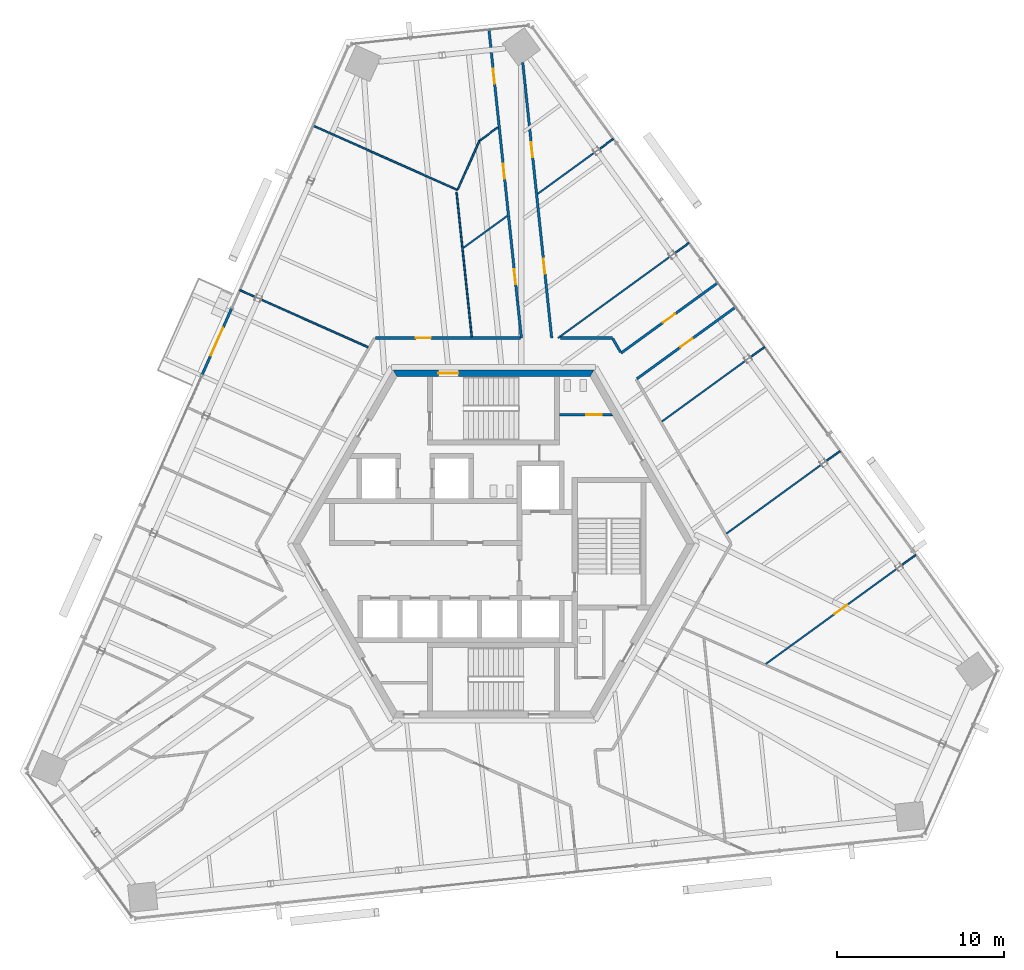
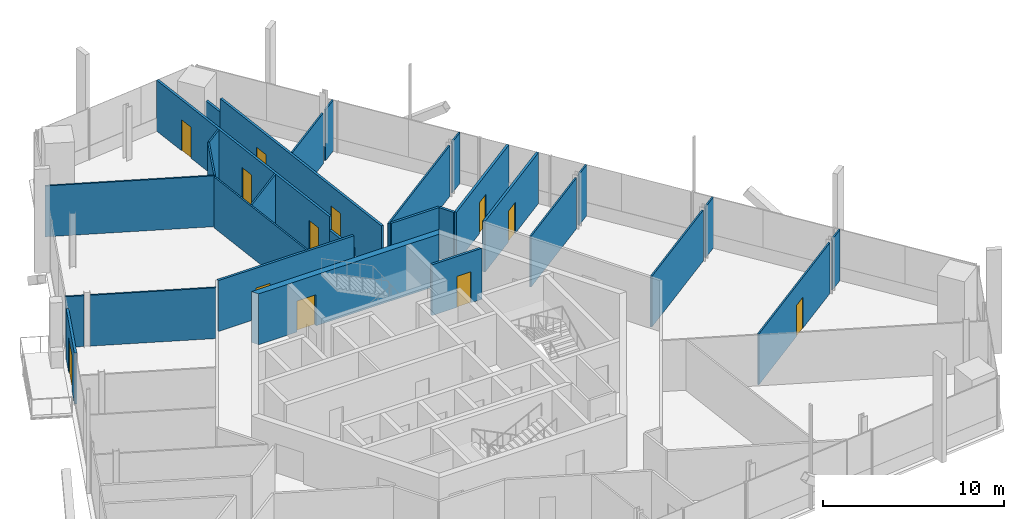
# One storey, part 13 of 20: 29 walls, 12 doors, 12 openings.
"""IFC4 building model written with IfcOpenShell, lengths in metres."""

from ifc_helpers import new_model, si_unit, direction, frame, frame_2d, origin, place, context, subcontext, project, spatial, polyline, rectangle, outline, extrude, source, transform, mapped, material, layer, layer_set, type_object, element, fill, save


model = new_model("IFC4")

# Units and contexts
model_context = context("Model", 3, precision=1e-05, world=origin(), true_north=direction((0.0, 1.0)))
body_context = subcontext(model_context, "Body", "Model", "MODEL_VIEW")
ifc_project = project(units=[si_unit("LENGTHUNIT", "METRE"), si_unit("AREAUNIT", "SQUARE_METRE"), si_unit("VOLUMEUNIT", "CUBIC_METRE"), si_unit("PLANEANGLEUNIT", "RADIAN"), si_unit("MASSUNIT", "GRAM", prefix="KILO")], contexts=[model_context])

# Site, building, storey
site_placement = place(None, origin())
site = spatial("IfcSite", under=ifc_project, at=site_placement, CompositionType="ELEMENT")
building_placement = place(site_placement, origin())
building = spatial("IfcBuilding", under=site, at=building_placement, Name="Triune Harvest Tower", CompositionType="ELEMENT")
storey_placement = place(building_placement, frame((0.0, 0.0, 226.89990234375)))
storey = spatial("IfcBuildingStorey", under=building, at=storey_placement, Name="L59", CompositionType="ELEMENT", Elevation=226.89990234375)

# Wall, openings, doors
ifc_material_1 = material(Name="Gypsum board on steel studs", Category="steel")
ifc_layer_1 = layer(ifc_material_1, 0.14990234375)
ifc_layer_set_1 = layer_set([ifc_layer_1], Name="Gypsum board on steel studs")
wall_type_1 = type_object("IfcWallType", Name="Fire Partition 150 mm", PredefinedType="PARTITIONING", material=ifc_layer_set_1)
wall_1_placement = place(storey_placement, frame((-0.270751953125, 30.701171875, 0.0), z_axis=(0.0, 0.0, 1.0), x_axis=(0.104513866593, -0.994523429432, 0.0)))
wall_1 = element("IfcWall", 1, at=wall_1_placement, inside=storey, type_object=wall_type_1, Name="Partition L59 004", PredefinedType="PARTITIONING", context=body_context, shape_type="SweptSolid", body=[
    extrude(rectangle(XDim=16.283935546875, YDim=0.14990234375, at=frame_2d((8.14208984375, 0.0))), origin(), (0.0, 0.0, 1.0), 3.440185546875),
])
opening_1_placement = place(wall_1_placement, frame((14.379150390625, 0.0, 0.0)))
opening_1 = element("IfcOpeningElement", 2, at=opening_1_placement, cuts=wall_1, Name="Opening L59-006", PredefinedType="OPENING", context=body_context, shape_type="SweptSolid", body=[
    extrude(rectangle(XDim=0.89990234375, YDim=2.10009765625, at=frame_2d((0.449951171875, 1.050048828125))), frame((0.0, 0.0849609375, 0.0), z_axis=(0.0, -1.0, 0.0), x_axis=(1.0, 0.0, 0.0)), (0.0, 0.0, 1.0), 0.169921875),
])
opening_2_placement = place(wall_1_placement, frame((8.05859375, 0.0, 0.0)))
opening_2 = element("IfcOpeningElement", 3, at=opening_2_placement, cuts=wall_1, Name="Opening L59-008", PredefinedType="OPENING", context=body_context, shape_type="SweptSolid", body=[
    extrude(rectangle(XDim=0.89990234375, YDim=2.10009765625, at=frame_2d((0.449951171875, 1.050048828125))), frame((0.0, 0.0849609375, 0.0), z_axis=(0.0, -1.0, 0.0), x_axis=(1.0, 0.0, 0.0)), (0.0, 0.0, 1.0), 0.169921875),
])
opening_3_placement = place(wall_1_placement, frame((2.35009765625, 0.0, 0.0)))
opening_3 = element("IfcOpeningElement", 4, at=opening_3_placement, cuts=wall_1, Name="Opening L59-010", PredefinedType="OPENING", context=body_context, shape_type="SweptSolid", body=[
    extrude(rectangle(XDim=0.89990234375, YDim=2.10009765625, at=frame_2d((0.449951171875, 1.050048828125))), frame((0.0, 0.0849609375, 0.0), z_axis=(0.0, -1.0, 0.0), x_axis=(1.0, 0.0, 0.0)), (0.0, 0.0, 1.0), 0.169921875),
])
ifc_material_2 = material(Name="Timber and steel door set", Category="steel")
door_type_1 = type_object("IfcDoorType", Name="Single leaf door FD30 left hand 900 x 2100", OperationType="SINGLE_SWING_LEFT", PredefinedType="DOOR", material=ifc_material_2)
door_1_placement = place(opening_1_placement, origin())
door_1 = element("IfcDoor", 5, at=door_1_placement, inside=storey, type_object=door_type_1, Name="Door L59-006 Open Office 59.06", OperationType="SINGLE_SWING_LEFT", OverallHeight=2.10009765625, OverallWidth=0.89990234375, PredefinedType="DOOR", context=body_context, shape_type="SweptSolid", body=[
    extrude(rectangle(XDim=0.89990234375, YDim=2.10009765625, at=frame_2d((0.449951171875, 1.050048828125))), frame((0.0, 0.02490234375, 0.0), z_axis=(0.0, -1.0, 0.0), x_axis=(1.0, 0.0, 0.0)), (0.0, 0.0, 1.0), 0.050048828125),
])
fill(opening_1, door_1)
ifc_material_3 = material(Name="Timber and steel door set", Category="steel")
door_type_2 = type_object("IfcDoorType", Name="Single leaf door FD30 right hand 900 x 2100", OperationType="SINGLE_SWING_RIGHT", PredefinedType="DOOR", material=ifc_material_3)
door_2_placement = place(opening_2_placement, origin())
door_2 = element("IfcDoor", 6, at=door_2_placement, inside=storey, type_object=door_type_2, Name="Door L59-008 Office 59.08", OperationType="SINGLE_SWING_RIGHT", OverallHeight=2.10009765625, OverallWidth=0.89990234375, PredefinedType="DOOR", context=body_context, shape_type="SweptSolid", body=[
    extrude(rectangle(XDim=0.89990234375, YDim=2.10009765625, at=frame_2d((0.449951171875, 1.050048828125))), frame((0.0, 0.02490234375, 0.0), z_axis=(0.0, -1.0, 0.0), x_axis=(1.0, 0.0, 0.0)), (0.0, 0.0, 1.0), 0.050048828125),
])
fill(opening_2, door_2)
door_3_placement = place(opening_3_placement, origin())
door_3 = element("IfcDoor", 7, at=door_3_placement, inside=storey, type_object=door_type_2, Name="Door L59-010 Project Room 59.10", OperationType="SINGLE_SWING_RIGHT", OverallHeight=2.10009765625, OverallWidth=0.89990234375, PredefinedType="DOOR", context=body_context, shape_type="SweptSolid", body=[
    extrude(rectangle(XDim=0.89990234375, YDim=2.10009765625, at=frame_2d((0.449951171875, 1.050048828125))), frame((0.0, 0.02490234375, 0.0), z_axis=(0.0, -1.0, 0.0), x_axis=(1.0, 0.0, 0.0)), (0.0, 0.0, 1.0), 0.050048828125),
])
fill(opening_3, door_3)

wall_2_placement = place(storey_placement, frame((1.88525390625, 27.402587890625, 0.0), z_axis=(0.0, 0.0, 1.0), x_axis=(0.104542586969, -0.994520410806, 0.0)))
wall_2 = element("IfcWall", 8, at=wall_2_placement, inside=storey, type_object=wall_type_1, Name="Partition L59 006a", PredefinedType="PARTITIONING", context=body_context, shape_type="SweptSolid", body=[
    extrude(rectangle(XDim=15.193603515625, YDim=0.14990234375, at=frame_2d((7.5966796875, 0.0))), origin(), (0.0, 0.0, 1.0), 3.440185546875),
])
opening_4_placement = place(wall_2_placement, frame((10.443603515625, 0.0, 0.0)))
opening_4 = element("IfcOpeningElement", 9, at=opening_4_placement, cuts=wall_2, Name="Opening L59-007", PredefinedType="OPENING", context=body_context, shape_type="SweptSolid", body=[
    extrude(rectangle(XDim=0.89990234375, YDim=2.10009765625, at=frame_2d((0.449951171875, 1.050048828125))), frame((0.0, 0.0849609375, 0.0), z_axis=(0.0, -1.0, 0.0), x_axis=(1.0, 0.0, 0.0)), (0.0, 0.0, 1.0), 0.169921875),
])
opening_5_placement = place(wall_2_placement, frame((3.43408203125, 0.0, 0.0)))
opening_5 = element("IfcOpeningElement", 10, at=opening_5_placement, cuts=wall_2, Name="Opening L59-009", PredefinedType="OPENING", context=body_context, shape_type="SweptSolid", body=[
    extrude(rectangle(XDim=0.89990234375, YDim=2.10009765625, at=frame_2d((0.449951171875, 1.050048828125))), frame((0.0, 0.0849609375, 0.0), z_axis=(0.0, -1.0, 0.0), x_axis=(1.0, 0.0, 0.0)), (0.0, 0.0, 1.0), 0.169921875),
])
door_4_placement = place(opening_5_placement, origin())
door_4 = element("IfcDoor", 11, at=door_4_placement, inside=storey, type_object=door_type_1, Name="Door L59-009 Office 59.09", OperationType="SINGLE_SWING_LEFT", OverallHeight=2.10009765625, OverallWidth=0.89990234375, PredefinedType="DOOR", context=body_context, shape_type="SweptSolid", body=[
    extrude(rectangle(XDim=0.89990234375, YDim=2.10009765625, at=frame_2d((0.449951171875, 1.050048828125))), frame((0.0, 0.02490234375, 0.0), z_axis=(0.0, -1.0, 0.0), x_axis=(1.0, 0.0, 0.0)), (0.0, 0.0, 1.0), 0.050048828125),
])
fill(opening_5, door_4)
door_5_placement = place(opening_4_placement, origin())
door_5 = element("IfcDoor", 12, at=door_5_placement, inside=storey, type_object=door_type_2, Name="Door L59-007 Open Office 59.07", OperationType="SINGLE_SWING_RIGHT", OverallHeight=2.10009765625, OverallWidth=0.89990234375, PredefinedType="DOOR", context=body_context, shape_type="SweptSolid", body=[
    extrude(rectangle(XDim=0.89990234375, YDim=2.10009765625, at=frame_2d((0.449951171875, 1.050048828125))), frame((0.0, 0.02490234375, 0.0), z_axis=(0.0, -1.0, 0.0), x_axis=(1.0, 0.0, 0.0)), (0.0, 0.0, 1.0), 0.050048828125),
])
fill(opening_4, door_5)

# Wall, opening, door
wall_3_placement = place(storey_placement, frame((-7.056884765625, 12.292236328125, 0.0), z_axis=(0.0, 0.0, 1.0), x_axis=(1.0, 0.0, 0.0)))
wall_3 = element("IfcWall", 13, at=wall_3_placement, inside=storey, type_object=wall_type_1, Name="Partition L59 034", PredefinedType="PARTITIONING", context=body_context, shape_type="SweptSolid", body=[
    extrude(rectangle(XDim=8.660888671875, YDim=0.14990234375, at=frame_2d((4.33056640625, 0.0))), origin(), (0.0, 0.0, 1.0), 3.440185546875),
])
opening_6_placement = place(wall_3_placement, frame((2.4150390625, 0.0, 0.0)))
opening_6 = element("IfcOpeningElement", 14, at=opening_6_placement, cuts=wall_3, Name="Opening L59-011", PredefinedType="OPENING", context=body_context, shape_type="SweptSolid", body=[
    extrude(rectangle(XDim=0.89990234375, YDim=2.10009765625, at=frame_2d((0.449951171875, 1.050048828125))), frame((0.0, 0.0849609375, 0.0), z_axis=(0.0, -1.0, 0.0), x_axis=(1.0, 0.0, 0.0)), (0.0, 0.0, 1.0), 0.169921875),
])
door_6_placement = place(opening_6_placement, origin())
door_6 = element("IfcDoor", 15, at=door_6_placement, inside=storey, type_object=door_type_1, Name="Door L59-011 Office 59.11", OperationType="SINGLE_SWING_LEFT", OverallHeight=2.10009765625, OverallWidth=0.89990234375, PredefinedType="DOOR", context=body_context, shape_type="SweptSolid", body=[
    extrude(rectangle(XDim=0.89990234375, YDim=2.10009765625, at=frame_2d((0.449951171875, 1.050048828125))), frame((0.0, 0.02490234375, 0.0), z_axis=(0.0, -1.0, 0.0), x_axis=(1.0, 0.0, 0.0)), (0.0, 0.0, 1.0), 0.050048828125),
])
fill(opening_6, door_6)

# Wall
wall_4_placement = place(storey_placement, frame((4.00390625, 12.292236328125, 0.0), z_axis=(0.0, 0.0, 1.0), x_axis=(1.0, 0.0, 0.0)))
element("IfcWall", 16, at=wall_4_placement, inside=storey, type_object=wall_type_1, Name="Partition L59 035", PredefinedType="PARTITIONING", context=body_context, shape_type="SweptSolid", body=[
    extrude(rectangle(XDim=3.093017578125, YDim=0.14990234375, at=frame_2d((1.54638671875, 0.0))), origin(), (0.0, 0.0, 1.0), 3.440185546875),
])

# Wall, opening, door
wall_5_placement = place(storey_placement, frame((8.561767578125, 9.8544921875, 0.0), z_axis=(0.0, 0.0, 1.0), x_axis=(0.809001217797, 0.587806966276, 0.0)))
wall_5 = element("IfcWall", 17, at=wall_5_placement, inside=storey, type_object=wall_type_1, Name="Partition L59 046", PredefinedType="PARTITIONING", context=body_context, shape_type="SweptSolid", body=[
    extrude(rectangle(XDim=7.28466796875, YDim=0.14990234375, at=frame_2d((3.642333984375, 0.0))), origin(), (0.0, 0.0, 1.0), 3.440185546875),
])
opening_7_placement = place(wall_5_placement, frame((3.199951171875, 0.0, 0.0)))
opening_7 = element("IfcOpeningElement", 18, at=opening_7_placement, cuts=wall_5, Name="Opening L59-005", PredefinedType="OPENING", context=body_context, shape_type="SweptSolid", body=[
    extrude(rectangle(XDim=0.89990234375, YDim=2.10009765625, at=frame_2d((0.449951171875, 1.050048828125))), frame((0.0, 0.0849609375, 0.0), z_axis=(0.0, -1.0, 0.0), x_axis=(1.0, 0.0, 0.0)), (0.0, 0.0, 1.0), 0.169921875),
])
door_7_placement = place(opening_7_placement, origin())
door_7 = element("IfcDoor", 19, at=door_7_placement, inside=storey, type_object=door_type_1, Name="Door L59-005 Office 59.05", OperationType="SINGLE_SWING_LEFT", OverallHeight=2.10009765625, OverallWidth=0.89990234375, PredefinedType="DOOR", context=body_context, shape_type="SweptSolid", body=[
    extrude(rectangle(XDim=0.89990234375, YDim=2.10009765625, at=frame_2d((0.449951171875, 1.050048828125))), frame((0.0, 0.02490234375, 0.0), z_axis=(0.0, -1.0, 0.0), x_axis=(1.0, 0.0, 0.0)), (0.0, 0.0, 1.0), 0.050048828125),
])
fill(opening_7, door_7)

wall_6_placement = place(storey_placement, frame((7.6162109375, 11.392578125, 0.0), z_axis=(0.0, 0.0, 1.0), x_axis=(0.809018196341, 0.587783597924, 0.0)))
wall_6 = element("IfcWall", 20, at=wall_6_placement, inside=storey, type_object=wall_type_1, Name="Partition L59 049", PredefinedType="PARTITIONING", context=body_context, shape_type="SweptSolid", body=[
    extrude(rectangle(XDim=7.1455078125, YDim=0.14990234375, at=frame_2d((3.57275390625, 0.0))), origin(), (0.0, 0.0, 1.0), 3.440185546875),
])
opening_8_placement = place(wall_6_placement, frame((3.095458984375, 0.0, 0.0)))
opening_8 = element("IfcOpeningElement", 21, at=opening_8_placement, cuts=wall_6, Name="Opening L59-004", PredefinedType="OPENING", context=body_context, shape_type="SweptSolid", body=[
    extrude(rectangle(XDim=0.89990234375, YDim=2.10009765625, at=frame_2d((0.449951171875, 1.050048828125))), frame((0.0, 0.0849609375, 0.0), z_axis=(0.0, -1.0, 0.0), x_axis=(1.0, 0.0, 0.0)), (0.0, 0.0, 1.0), 0.169921875),
])
door_8_placement = place(opening_8_placement, origin())
door_8 = element("IfcDoor", 22, at=door_8_placement, inside=storey, type_object=door_type_1, Name="Door L59-004 Meeting Room 59.04", OperationType="SINGLE_SWING_LEFT", OverallHeight=2.10009765625, OverallWidth=0.89990234375, PredefinedType="DOOR", context=body_context, shape_type="SweptSolid", body=[
    extrude(rectangle(XDim=0.89990234375, YDim=2.10009765625, at=frame_2d((0.449951171875, 1.050048828125))), frame((0.0, 0.02490234375, 0.0), z_axis=(0.0, -1.0, 0.0), x_axis=(1.0, 0.0, 0.0)), (0.0, 0.0, 1.0), 0.050048828125),
])
fill(opening_8, door_8)

# Walls
ifc_material_4 = material(Name="Gypsum board on steel studs", Category="steel")
ifc_layer_2 = layer(ifc_material_4, 0.10009765625)
ifc_layer_set_2 = layer_set([ifc_layer_2], Name="Gypsum board on steel studs")
wall_type_2 = type_object("IfcWallType", Name="Partition 100 mm", PredefinedType="PARTITIONING", material=ifc_layer_set_2)
wall_7_placement = place(storey_placement, frame((-2.207275390625, 21.0, 0.0), z_axis=(0.0, 0.0, 1.0), x_axis=(0.104528401575, -0.994521901852, 0.0)))
element("IfcWall", 23, at=wall_7_placement, inside=storey, type_object=wall_type_2, Name="Partition L59 001", PredefinedType="PARTITIONING", context=body_context, shape_type="SweptSolid", body=[
    extrude(rectangle(XDim=8.695556640625, YDim=0.10009765625, at=frame_2d((4.34765625, 0.0))), origin(), (0.0, 0.0, 1.0), 3.440185546875),
])
wall_8_placement = place(storey_placement, frame((-13.88671875, 14.589111328125, 0.0), z_axis=(0.0, 0.0, 1.0), x_axis=(0.913544112906, -0.406739663389, 0.0)))
element("IfcWall", 24, at=wall_8_placement, inside=storey, type_object=wall_type_2, Name="Partition L59 030", PredefinedType="PARTITIONING", context=body_context, shape_type="SweptSolid", body=[
    extrude(rectangle(XDim=7.007080078125, YDim=0.10009765625, at=frame_2d((3.50341796875, 0.0))), origin(), (0.0, 0.0, 1.0), 3.440185546875),
])
wall_9_placement = place(storey_placement, frame((-10.777587890625, 24.973388671875, 0.0), z_axis=(0.0, 0.0, 1.0), x_axis=(0.913541691776, -0.406745101244, 0.0)))
element("IfcWall", 25, at=wall_9_placement, inside=storey, type_object=wall_type_2, Name="Partition L59 031", PredefinedType="PARTITIONING", context=body_context, shape_type="SweptSolid", body=[
    extrude(rectangle(XDim=9.44580078125, YDim=0.10009765625, at=frame_2d((4.722900390625, 0.0))), origin(), (0.0, 0.0, 1.0), 3.440185546875),
])

# Wall, opening, door
wall_10_placement = place(storey_placement, frame((16.25830078125, -7.172119140625, 0.0), z_axis=(0.0, 0.0, 1.0), x_axis=(0.809027108571, 0.587771331044, 0.0)))
wall_10 = element("IfcWall", 26, at=wall_10_placement, inside=storey, type_object=wall_type_2, Name="Partition L59 037", PredefinedType="PARTITIONING", context=body_context, shape_type="SweptSolid", body=[
    extrude(rectangle(XDim=9.6826171875, YDim=0.10009765625, at=frame_2d((4.84130859375, 0.0))), origin(), (0.0, 0.0, 1.0), 3.440185546875),
])
opening_9_placement = place(wall_10_placement, frame((5.080078125, 0.0, 0.0)))
opening_9 = element("IfcOpeningElement", 27, at=opening_9_placement, cuts=wall_10, Name="Opening L59-001", PredefinedType="OPENING", context=body_context, shape_type="SweptSolid", body=[
    extrude(rectangle(XDim=0.89990234375, YDim=2.10009765625, at=frame_2d((0.449951171875, 1.050048828125))), frame((0.0, 0.06005859375, 0.0), z_axis=(0.0, -1.0, 0.0), x_axis=(1.0, 0.0, 0.0)), (0.0, 0.0, 1.0), 0.1201171875),
])
ifc_material_5 = material(Name="Timber and steel door set", Category="steel")
door_type_3 = type_object("IfcDoorType", Name="Single leaf door left hand 900 x 2100", OperationType="SINGLE_SWING_LEFT", PredefinedType="DOOR", material=ifc_material_5)
door_9_placement = place(opening_9_placement, origin())
door_9 = element("IfcDoor", 28, at=door_9_placement, inside=storey, type_object=door_type_3, Name="Door L59-001 Reception 59.01", OperationType="SINGLE_SWING_LEFT", OverallHeight=2.10009765625, OverallWidth=0.89990234375, PredefinedType="DOOR", context=body_context, shape_type="SweptSolid", body=[
    extrude(rectangle(XDim=0.89990234375, YDim=2.10009765625, at=frame_2d((0.449951171875, 1.050048828125))), frame((0.0, 0.02490234375, 0.0), z_axis=(0.0, -1.0, 0.0), x_axis=(1.0, 0.0, 0.0)), (0.0, 0.0, 1.0), 0.050048828125),
])
fill(opening_9, door_9)

# Walls
wall_11_placement = place(storey_placement, frame((13.90869140625, 0.613037109375, 0.0), z_axis=(0.0, 0.0, 1.0), x_axis=(0.809017724048, 0.587784247983, 0.0)))
element("IfcWall", 29, at=wall_11_placement, inside=storey, type_object=wall_type_2, Name="Partition L59 039", PredefinedType="PARTITIONING", context=body_context, shape_type="SweptSolid", body=[
    extrude(rectangle(XDim=7.007568359375, YDim=0.10009765625, at=frame_2d((3.50390625, 0.0))), origin(), (0.0, 0.0, 1.0), 3.440185546875),
])
wall_12_placement = place(storey_placement, frame((-1.805419921875, 17.673095703125, 0.0), z_axis=(0.0, 0.0, 1.0), x_axis=(0.809045091353, 0.587746578177, 0.0)))
element("IfcWall", 30, at=wall_12_placement, inside=storey, type_object=wall_type_2, Name="Partition L59 052", PredefinedType="PARTITIONING", context=body_context, shape_type="SweptSolid", body=[
    extrude(rectangle(XDim=3.24462890625, YDim=0.10009765625, at=frame_2d((1.622314453125, 0.0))), origin(), (0.0, 0.0, 1.0), 3.440185546875),
])
wall_13_placement = place(storey_placement, frame((-0.83251953125, 24.0751953125, 0.0), z_axis=(0.0, 0.0, 1.0), x_axis=(0.80905550907, 0.58773223771, 0.0)))
element("IfcWall", 31, at=wall_13_placement, inside=storey, type_object=wall_type_2, Name="Partition L59 055", PredefinedType="PARTITIONING", context=body_context, shape_type="SweptSolid", body=[
    extrude(rectangle(XDim=1.3544921875, YDim=0.10009765625, at=frame_2d((0.67724609375, 0.0))), origin(), (0.0, 0.0, 1.0), 3.440185546875),
])
wall_14_placement = place(storey_placement, frame((-2.137939453125, 21.155029296875, 0.0), z_axis=(0.0, 0.0, 1.0), x_axis=(0.406784574057, 0.913524115888, 0.0)))
element("IfcWall", 32, at=wall_14_placement, inside=storey, type_object=wall_type_2, Name="Partition L59 059", PredefinedType="PARTITIONING", context=body_context, shape_type="SweptSolid", body=[
    extrude(rectangle(XDim=3.18994140625, YDim=0.10009765625, at=frame_2d((1.594970703125, 0.0))), origin(), (0.0, 0.0, 1.0), 3.440185546875),
])

# Wall, opening, door
ifc_material_6 = material(Name="Concrete 70 MPa", Category="concrete")
ifc_layer_3 = layer(ifc_material_6, 0.39990234375)
ifc_layer_set_3 = layer_set([ifc_layer_3], Name="Concrete 70 MPa")
wall_type_3 = type_object("IfcWallType", Name="Core wall 400", PredefinedType="SHEAR", material=ifc_layer_set_3)
shared_shape_1 = source(origin(), body_context, "Body", "SweptSolid", [
    extrude(outline(polyline([(-0.115478515625, -0.199951171875), (11.884521484375, -0.199951171875), (11.653564453125, 0.199951171875), (0.115478515625, 0.199951171875), (-0.115478515625, -0.199951171875)])), origin(), (0.0, 0.0, 1.0), 3.440185546875),
])
wall_15_placement = place(storey_placement, frame((5.884521484375, 10.1923828125, 0.0), z_axis=(0.0, 0.0, 1.0), x_axis=(-1.0, 0.0, 0.0)))
wall_15 = element("IfcWall", 33, at=wall_15_placement, inside=storey, type_object=wall_type_3, Name="Hexagon 1 wall", PredefinedType="SHEAR", context=body_context, shape_type="MappedRepresentation", body=[
    mapped(shared_shape_1, transform((0.0, 0.0, 0.0), scale=1.0)),
])
opening_10_placement = place(wall_15_placement, frame((7.984619140625, 0.0, 0.0)))
opening_10 = element("IfcOpeningElement", 34, at=opening_10_placement, cuts=wall_15, Name="Opening CD-S1P", PredefinedType="OPENING", context=body_context, shape_type="SweptSolid", body=[
    extrude(rectangle(XDim=1.199951171875, YDim=2.10009765625, at=frame_2d((0.60009765625, 1.050048828125))), frame((0.0, 0.2099609375, 0.0), z_axis=(0.0, -1.0, 0.0), x_axis=(1.0, 0.0, 0.0)), (0.0, 0.0, 1.0), 0.419921875),
])
ifc_material_7 = material(Name="Steel S235", Category="steel")
door_type_4 = type_object("IfcDoorType", Name="Stair door 1200 FD120", OperationType="SINGLE_SWING_LEFT", PredefinedType="DOOR", material=ifc_material_7)
door_10_placement = place(opening_10_placement, frame((1.199951171875, 0.0, 0.0), z_axis=(0.0, 0.0, 1.0), x_axis=(-1.0, 0.0, 0.0)))
door_10 = element("IfcDoor", 35, at=door_10_placement, inside=storey, type_object=door_type_4, Name="Door CD-S1P", OperationType="SINGLE_SWING_RIGHT", OverallHeight=2.10009765625, OverallWidth=1.199951171875, PredefinedType="DOOR", context=body_context, shape_type="SweptSolid", body=[
    extrude(rectangle(XDim=1.199951171875, YDim=2.10009765625, at=frame_2d((0.60009765625, 1.050048828125))), frame((0.0, 0.02490234375, 0.0), z_axis=(0.0, -1.0, 0.0), x_axis=(1.0, 0.0, 0.0)), (0.0, 0.0, 1.0), 0.050048828125),
])
fill(opening_10, door_10)

ifc_material_8 = material(Name="Concrete masonry unit", Category="masonry")
ifc_layer_4 = layer(ifc_material_8, 0.14990234375)
ifc_layer_set_4 = layer_set([ifc_layer_4], Name="Concrete masonry unit")
wall_type_4 = type_object("IfcWallType", Name="Block partition 150 unrated", PredefinedType="PARTITIONING", material=ifc_layer_set_4)
shared_shape_2 = source(origin(), body_context, "Body", "SweptSolid", [
    extrude(outline(polyline([(0.0, -0.074951171875), (0.0, 0.074951171875), (3.1015625, 0.074951171875), (3.18798828125, -0.074951171875), (0.0, -0.074951171875)])), origin(), (0.0, 0.0, 1.0), 3.440185546875),
])
wall_16_placement = place(storey_placement, frame((3.949951171875, 7.699951171875, 0.0), z_axis=(0.0, 0.0, 1.0), x_axis=(1.0, 0.0, 0.0)))
wall_16 = element("IfcWall", 36, at=wall_16_placement, inside=storey, type_object=wall_type_4, Name="Wc women south wall", PredefinedType="PARTITIONING", context=body_context, shape_type="MappedRepresentation", body=[
    mapped(shared_shape_2, transform((0.0, 0.0, 0.0), scale=1.0)),
])
opening_11_placement = place(wall_16_placement, frame((1.60009765625, 0.0, 0.0)))
opening_11 = element("IfcOpeningElement", 37, at=opening_11_placement, cuts=wall_16, Name="Opening CD-WW", PredefinedType="OPENING", context=body_context, shape_type="SweptSolid", body=[
    extrude(rectangle(XDim=0.89990234375, YDim=2.10009765625, at=frame_2d((0.449951171875, 1.050048828125))), frame((0.0, 0.0849609375, 0.0), z_axis=(0.0, -1.0, 0.0), x_axis=(1.0, 0.0, 0.0)), (0.0, 0.0, 1.0), 0.169921875),
])
ifc_material_9 = material(Name="Timber C24", Category="wood")
door_type_5 = type_object("IfcDoorType", Name="WC door 900", OperationType="SINGLE_SWING_LEFT", PredefinedType="DOOR", material=ifc_material_9)
door_11_placement = place(opening_11_placement, origin())
door_11 = element("IfcDoor", 38, at=door_11_placement, inside=storey, type_object=door_type_5, Name="Door CD-WW", OperationType="SINGLE_SWING_LEFT", OverallHeight=2.10009765625, OverallWidth=0.89990234375, PredefinedType="DOOR", context=body_context, shape_type="SweptSolid", body=[
    extrude(rectangle(XDim=0.89990234375, YDim=2.10009765625, at=frame_2d((0.449951171875, 1.050048828125))), frame((0.0, 0.02490234375, 0.0), z_axis=(0.0, -1.0, 0.0), x_axis=(1.0, 0.0, 0.0)), (0.0, 0.0, 1.0), 0.050048828125),
])
fill(opening_11, door_11)

ifc_material_10 = material(Name="Aluminium bronze anodised", Category="aluminium")
ifc_layer_5 = layer(ifc_material_10, 0.14990234375)
ifc_layer_set_5 = layer_set([ifc_layer_5], Name="Aluminium bronze anodised")
wall_type_5 = type_object("IfcWallType", Name="WW-2 balcony window wall", PredefinedType="ELEMENTEDWALL", material=ifc_layer_set_5)
shared_shape_3 = source(origin(), body_context, "Body", "SweptSolid", [
    extrude(rectangle(XDim=4.31640625, YDim=0.14990234375, at=frame_2d((2.158203125, 0.0))), origin(), (0.0, 0.0, 1.0), 3.440185546875),
])
wall_17_placement = place(storey_placement, frame((-17.396240234375, 10.107666015625, 0.0), z_axis=(0.0, 0.0, 1.0), x_axis=(0.406720890265, 0.913552471083, 0.0)))
wall_17 = element("IfcWall", 39, at=wall_17_placement, inside=storey, type_object=wall_type_5, Name="WW-2 B6-F3 L59.5", PredefinedType="ELEMENTEDWALL", context=body_context, shape_type="MappedRepresentation", body=[
    mapped(shared_shape_3, transform((0.0, 0.0, 0.0), scale=1.0)),
])
opening_12_placement = place(wall_17_placement, frame((1.25830078125, 0.0, 0.0)))
opening_12 = element("IfcOpeningElement", 40, at=opening_12_placement, cuts=wall_17, Name="Opening L59-E01", PredefinedType="OPENING", context=body_context, shape_type="SweptSolid", body=[
    extrude(rectangle(XDim=1.800048828125, YDim=2.39990234375, at=frame_2d((0.89990234375, 1.199951171875))), frame((0.0, 0.0849609375, 0.0), z_axis=(0.0, -1.0, 0.0), x_axis=(1.0, 0.0, 0.0)), (0.0, 0.0, 1.0), 0.169921875),
])
ifc_material_11 = material(Name="Glass", Category="glass")
door_type_6 = type_object("IfcDoorType", Name="DB-1 balcony door 1800 x 2400", OperationType="DOUBLE_DOOR_SINGLE_SWING", PredefinedType="DOOR", material=ifc_material_11)
door_12_placement = place(opening_12_placement, origin())
door_12 = element("IfcDoor", 41, at=door_12_placement, inside=storey, type_object=door_type_6, Name="Door L59-E01", OperationType="DOUBLE_DOOR_SINGLE_SWING", OverallHeight=2.39990234375, OverallWidth=1.800048828125, PredefinedType="DOOR", context=body_context, shape_type="SweptSolid", body=[
    extrude(rectangle(XDim=1.800048828125, YDim=2.39990234375, at=frame_2d((0.89990234375, 1.199951171875))), frame((0.0, 0.02490234375, 0.0), z_axis=(0.0, -1.0, 0.0), x_axis=(1.0, 0.0, 0.0)), (0.0, 0.0, 1.0), 0.050048828125),
])
fill(opening_12, door_12)

# Walls
shared_shape_4 = source(origin(), body_context, "Body", "SweptSolid", [
    extrude(rectangle(XDim=2.226318359375, YDim=0.14990234375, at=frame_2d((1.11328125, 0.0))), origin(), (0.0, 0.0, 1.0), 2.525634765625),
])
wall_18_placement = place(storey_placement, frame((1.43115234375, 14.50634765625, 0.0), z_axis=(0.0, 0.0, 1.0), x_axis=(0.104507821551, -0.994524064684, 0.0)))
element("IfcWall", 42, at=wall_18_placement, inside=storey, type_object=wall_type_1, Name="Partition L59 004a", PredefinedType="PARTITIONING", context=body_context, shape_type="MappedRepresentation", body=[
    mapped(shared_shape_4, transform((0.0, 0.0, 0.0), scale=1.0)),
])
shared_shape_5 = source(origin(), body_context, "Body", "SweptSolid", [
    extrude(rectangle(XDim=1.342041015625, YDim=0.14990234375, at=frame_2d((0.6708984375, 0.0))), origin(), (0.0, 0.0, 1.0), 2.525634765625),
])
wall_19_placement = place(storey_placement, frame((1.744873046875, 28.7373046875, 0.0), z_axis=(0.0, 0.0, 1.0), x_axis=(0.104599559478, -0.994514420286, 0.0)))
element("IfcWall", 43, at=wall_19_placement, inside=storey, type_object=wall_type_1, Name="Partition L59 006", PredefinedType="PARTITIONING", context=body_context, shape_type="MappedRepresentation", body=[
    mapped(shared_shape_5, transform((0.0, 0.0, 0.0), scale=1.0)),
])
shared_shape_6 = source(origin(), body_context, "Body", "SweptSolid", [
    extrude(rectangle(XDim=4.189697265625, YDim=0.10009765625, at=frame_2d((2.0947265625, 0.0))), origin(), (0.0, 0.0, 1.0), 3.440185546875),
])
wall_20_placement = place(storey_placement, frame((2.646728515625, 20.90771484375, 0.0), z_axis=(0.0, 0.0, 1.0), x_axis=(0.809025763108, 0.587773182978, 0.0)))
element("IfcWall", 44, at=wall_20_placement, inside=storey, type_object=wall_type_2, Name="Partition L59 053", PredefinedType="PARTITIONING", context=body_context, shape_type="MappedRepresentation", body=[
    mapped(shared_shape_6, transform((0.0, 0.0, 0.0), scale=1.0)),
])
shared_shape_7 = source(origin(), body_context, "Body", "SweptSolid", [
    extrude(rectangle(XDim=1.0478515625, YDim=0.10009765625, at=frame_2d((0.52392578125, 0.0))), origin(), (0.0, 0.0, 1.0), 3.440185546875),
])
for number, where, z_axis, x_axis, name in (
    (45, (-15.150634765625, 15.151611328125, 0.0), (0.0, 0.0, 1.0), (0.913609658968, -0.406592413899, 0.0), "Partition L59 029"),
    (46, (24.36328125, -1.28369140625, 0.0), (0.0, 0.0, 1.0), (0.808967759712, 0.587853012025, 0.0), "Partition L59 038"),
    (47, (15.335205078125, 11.14208984375, 0.0), (0.0, 0.0, 1.0), (0.808967759712, 0.587853012025, 0.0), "Partition L59 044"),
    (48, (10.821533203125, 17.354736328125, 0.0), (0.0, 0.0, 1.0), (0.808967759712, 0.587853012025, 0.0), "Partition L59 051"),
    (49, (6.307861328125, 23.5673828125, 0.0), (0.0, 0.0, 1.0), (0.808967759712, 0.587853012025, 0.0), "Partition L59 054"),
):
    element("IfcWall", number, at=place(storey_placement, frame(where, z_axis=z_axis, x_axis=x_axis)), inside=storey, type_object=wall_type_2, Name=name, PredefinedType="PARTITIONING", context=body_context, shape_type="MappedRepresentation", body=[
        mapped(shared_shape_7, transform((0.0, 0.0, 0.0), scale=1.0)),
    ])
shared_shape_8 = source(origin(), body_context, "Body", "SweptSolid", [
    extrude(rectangle(XDim=0.92919921875, YDim=0.14990234375, at=frame_2d((0.464599609375, 0.0))), origin(), (0.0, 0.0, 1.0), 3.440185546875),
])
wall_21_placement = place(storey_placement, frame((7.12158203125, 12.249267578125, 0.0), z_axis=(0.0, 0.0, 1.0), x_axis=(0.500010545262, -0.866019315389, 0.0)))
element("IfcWall", 50, at=wall_21_placement, inside=storey, type_object=wall_type_1, Name="Partition L59 011", PredefinedType="PARTITIONING", context=body_context, shape_type="MappedRepresentation", body=[
    mapped(shared_shape_8, transform((0.0, 0.0, 0.0), scale=1.0)),
])
shared_shape_9 = source(origin(), body_context, "Body", "SweptSolid", [
    extrude(rectangle(XDim=1.047607421875, YDim=0.10009765625, at=frame_2d((0.52392578125, 0.0))), origin(), (0.0, 0.0, 1.0), 3.440185546875),
])
wall_22_placement = place(storey_placement, frame((19.849365234375, 4.92919921875, 0.0), z_axis=(0.0, 0.0, 1.0), x_axis=(0.809078563498, 0.587700500329, 0.0)))
element("IfcWall", 51, at=wall_22_placement, inside=storey, type_object=wall_type_2, Name="Partition L59 040", PredefinedType="PARTITIONING", context=body_context, shape_type="MappedRepresentation", body=[
    mapped(shared_shape_9, transform((0.0, 0.0, 0.0), scale=1.0)),
])
shared_shape_10 = source(origin(), body_context, "Body", "SweptSolid", [
    extrude(rectangle(XDim=8.277099609375, YDim=0.10009765625, at=frame_2d((4.138671875, 0.0))), origin(), (0.0, 0.0, 1.0), 3.440185546875),
])
wall_23_placement = place(storey_placement, frame((3.853759765625, 12.292236328125, 0.0), z_axis=(0.0, 0.0, 1.0), x_axis=(0.809011502535, 0.587792811088, 0.0)))
element("IfcWall", 52, at=wall_23_placement, inside=storey, type_object=wall_type_2, Name="Partition L59 050", PredefinedType="PARTITIONING", context=body_context, shape_type="MappedRepresentation", body=[
    mapped(shared_shape_10, transform((0.0, 0.0, 0.0), scale=1.0)),
])
shared_shape_11 = source(origin(), body_context, "Body", "SweptSolid", [
    extrude(rectangle(XDim=6.2001953125, YDim=0.10009765625, at=frame_2d((3.10009765625, 0.0))), origin(), (0.0, 0.0, 1.0), 3.440185546875),
])
wall_24_placement = place(storey_placement, frame((10.0478515625, 7.300537109375, 0.0), z_axis=(0.0, 0.0, 1.0), x_axis=(0.808994828155, 0.587815760267, 0.0)))
element("IfcWall", 53, at=wall_24_placement, inside=storey, type_object=wall_type_2, Name="Partition L59 043", PredefinedType="PARTITIONING", context=body_context, shape_type="MappedRepresentation", body=[
    mapped(shared_shape_11, transform((0.0, 0.0, 0.0), scale=1.0)),
])

save(model, "model.ifc")
